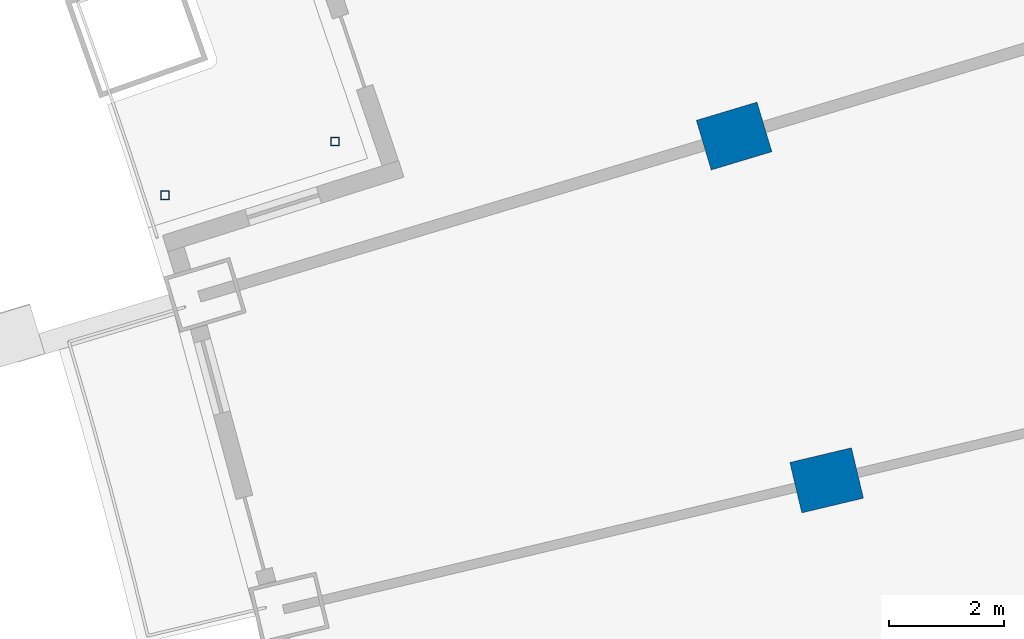
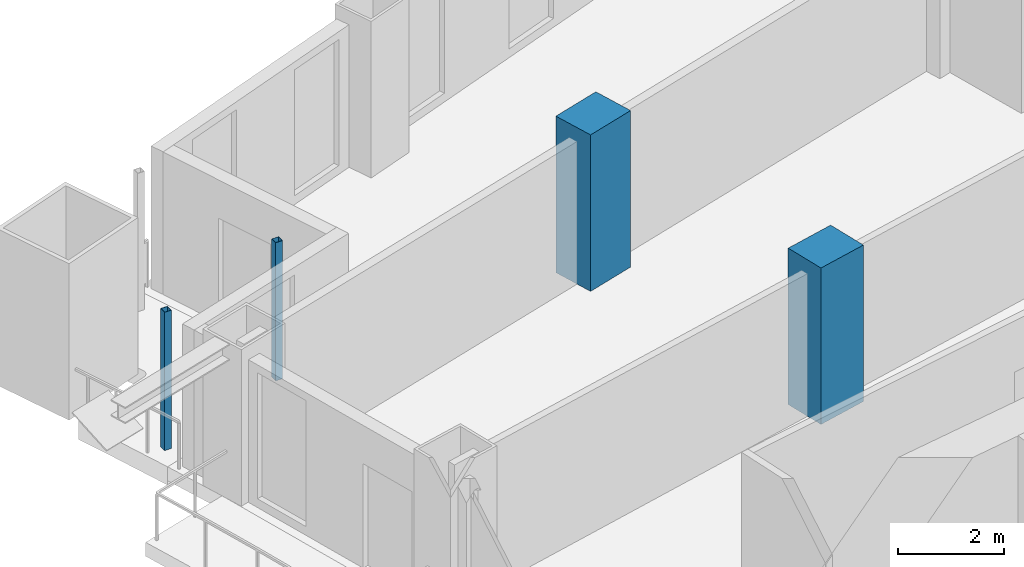
# One storey, part 7 of 25: 4 columns.
"""IFC4 building model written with IfcOpenShell, lengths in metres."""

from ifc_helpers import new_model, si_unit, direction, frame, origin, origin_2d, place, context, subcontext, project, spatial, rectangle, hollow_rectangle, extrude, material, material_profile, profile_set, type_object, element, save


model = new_model("IFC4")

# Units and contexts
model_context = context("Model", 3, precision=1e-05, world=origin(), true_north=direction((0.0, 1.0)))
body_context = subcontext(model_context, "Body", "Model", "MODEL_VIEW")
ifc_project = project(units=[si_unit("LENGTHUNIT", "METRE"), si_unit("AREAUNIT", "SQUARE_METRE"), si_unit("VOLUMEUNIT", "CUBIC_METRE"), si_unit("PLANEANGLEUNIT", "RADIAN"), si_unit("MASSUNIT", "GRAM", prefix="KILO")], contexts=[model_context])

# Site, building, storey
site_placement = place(None, origin())
site = spatial("IfcSite", under=ifc_project, at=site_placement, CompositionType="ELEMENT")
building_placement = place(site_placement, origin())
building = spatial("IfcBuilding", under=site, at=building_placement, Name="Alderwake Tower", CompositionType="ELEMENT")
storey_placement = place(building_placement, frame((0.0, 0.0, 60.800048828125)))
storey = spatial("IfcBuildingStorey", under=building, at=storey_placement, Name="L14", CompositionType="ELEMENT", Elevation=60.800048828125)

# Columns
ifc_material_1 = material(Name="Concrete C70/85", Category="concrete")
ifc_material_profile_1 = material_profile(ifc_material_1, rectangle(XDim=0.89990234375, YDim=1.10009765625, at=origin_2d()), Name="RC 1100X900")
ifc_profile_set_1 = profile_set([ifc_material_profile_1], Name="Concrete C70/85")
column_type_1 = type_object("IfcColumnType", Name="Interior column Z1", PredefinedType="COLUMN", material=ifc_profile_set_1)
for number, where, z_axis, x_axis, name in (
    (1, (23.322021484375, 85.555908203125, 0.0), (0.0, 0.0, 1.0), (-0.231221547198, 0.972901123502, 0.0), "Column R11-C1"),
    (2, (21.714599609375, 91.53759765625, 0.0), (0.0, 0.0, 1.0), (-0.287549418125, 0.957765802342, 0.0), "Column R12-C1"),
):
    element("IfcColumn", number, at=place(storey_placement, frame(where, z_axis=z_axis, x_axis=x_axis)), inside=storey, type_object=column_type_1, Name=name, PredefinedType="COLUMN", context=body_context, shape_type="SweptSolid", body=[
        extrude(rectangle(XDim=0.89990234375, YDim=1.10009765625, at=origin_2d()), origin(), (0.0, 0.0, 1.0), 3.599853515625),
    ])
ifc_material_2 = material(Name="Steel ASTM A500 Grade C", Category="steel")
ifc_material_profile_2 = material_profile(ifc_material_2, hollow_rectangle(XDim=0.15234375, YDim=0.15234375, WallThickness=0.0087890625, at=origin_2d()), Name="HSS6X6X3/8")
ifc_profile_set_2 = profile_set([ifc_material_profile_2], Name="Steel ASTM A500 Grade C")
column_type_2 = type_object("IfcColumnType", Name="Light post HSS6X6X3/8", PredefinedType="COLUMN", material=ifc_profile_set_2)
for number, where, z_axis, x_axis, name in (
    (3, (11.82568359375, 90.507080078125, 0.0), (0.0, 0.0, 1.0), (1.0, 0.0, 0.0), "Terrace post RN1"),
    (4, (14.781494140625, 91.441650390625, 0.0), (0.0, 0.0, 1.0), (1.0, 0.0, 0.0), "Terrace post RN3"),
):
    element("IfcColumn", number, at=place(storey_placement, frame(where, z_axis=z_axis, x_axis=x_axis)), inside=storey, type_object=column_type_2, Name=name, PredefinedType="COLUMN", context=body_context, shape_type="SweptSolid", body=[
        extrude(hollow_rectangle(XDim=0.15234375, YDim=0.15234375, WallThickness=0.0087890625, at=origin_2d()), origin(), (0.0, 0.0, 1.0), 3.179931640625),
    ])

save(model, "model.ifc")
